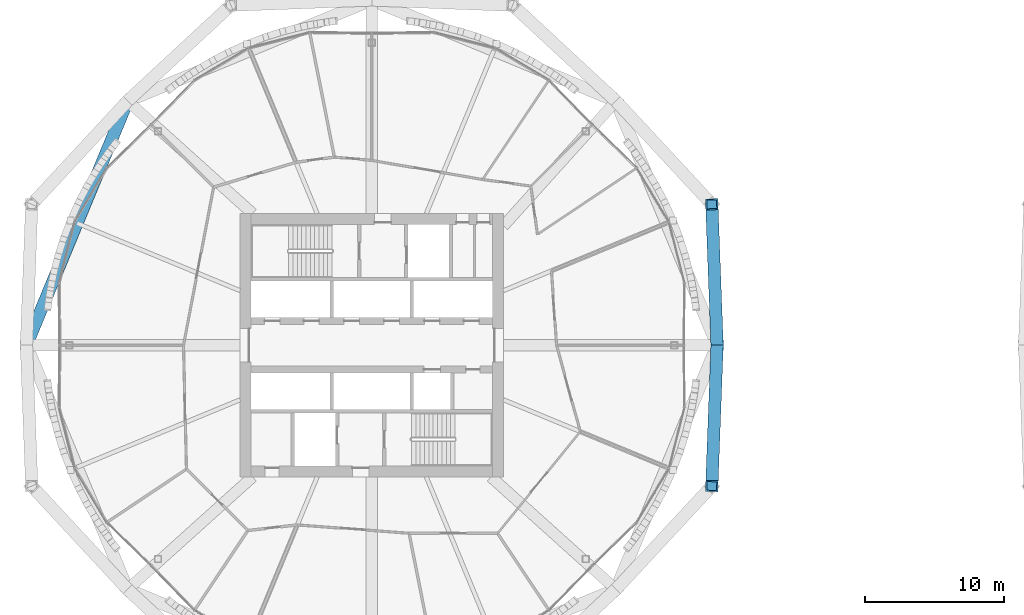
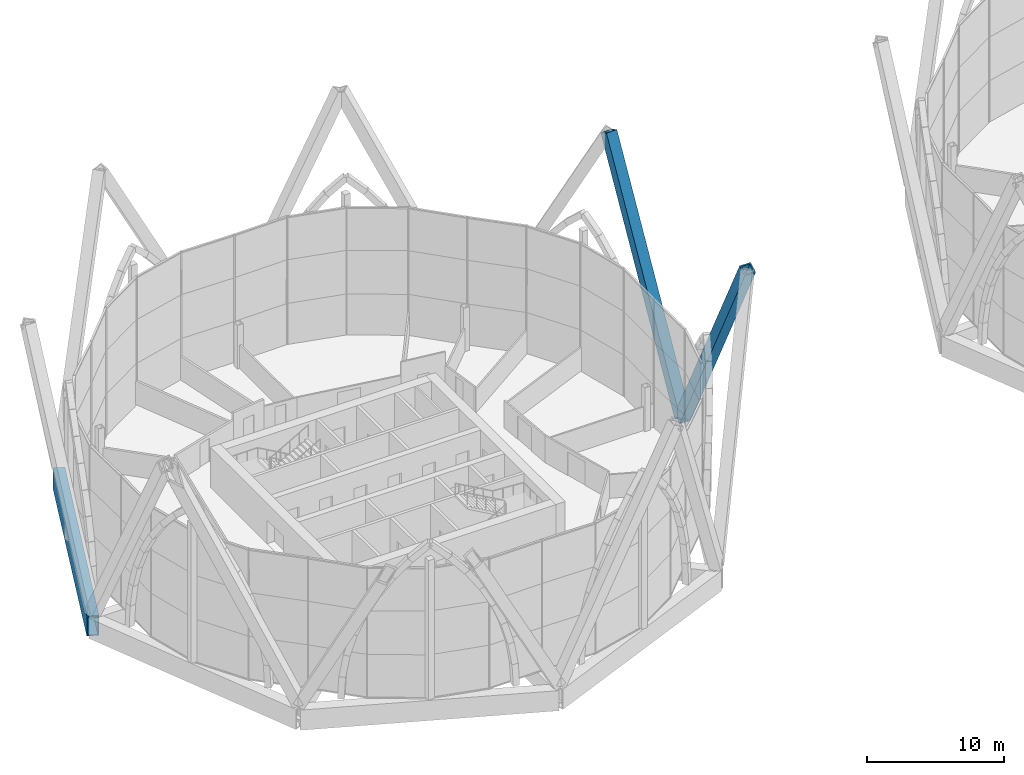
# One storey, part 9 of 37: 2 members, 1 beam.
"""IFC4 building model written with IfcOpenShell, lengths in metres."""

import ifcopenshell
import ifcopenshell.guid

model = None  # the IFC model being written
_history = None  # IfcOwnerHistory: only IFC2X3 demands one
_inside = {}  # id of a spatial element -> (the spatial element, [elements in it])
_under = {}  # id of a project, library or spatial element -> (it, [spatial elements below it])
_declared = {}  # id of a project -> (the project, [libraries it declares])
_typed = {}  # id of a type object -> (the type object, [elements of that type])
_made_of = {}  # id of a material, layer set ... -> (it, [elements and type objects made of it])


def new_model(schema):
    """Start an empty IFC model of exactly this schema.

    Asked for "IFC4X3", IfcOpenShell would pick the latest addendum, in which some entities
    have other attributes; the version numbers below select the first issue.
    IFC2X3 requires an IfcOwnerHistory on every rooted entity: one is made here for all.
    """
    global model, _history
    if schema == "IFC4X3":
        model = ifcopenshell.file(schema_version=(4, 3, 0, 0))
    else:
        model = ifcopenshell.file(schema=schema)
    _inside.clear()
    _under.clear()
    _declared.clear()
    _typed.clear()
    _made_of.clear()
    _history = None
    if model.schema == "IFC2X3":
        org = make("IfcOrganization", Name="unknown")
        user = make(
            "IfcPersonAndOrganization",
            ThePerson=make("IfcPerson", FamilyName="unknown"),
            TheOrganization=org,
        )
        app = make(
            "IfcApplication",
            ApplicationDeveloper=org,
            Version="unknown",
            ApplicationFullName="unknown",
            ApplicationIdentifier="unknown",
        )
        _history = make(
            "IfcOwnerHistory",
            OwningUser=user,
            OwningApplication=app,
            ChangeAction="ADDED",
            CreationDate=0,
        )
    return model


def make(cls, **values):
    """One entity of the class cls with the attributes given. An attribute that is None is left unset."""
    return model.create_entity(
        cls, **{name: value for name, value in values.items() if value is not None}
    )


def rooted(cls, **values):
    """An entity with a GlobalId (a new one), such as an element, a storey or a relation."""
    return make(cls, GlobalId=ifcopenshell.guid.new(), OwnerHistory=_history, **values)


def si_unit(unit_type, name, prefix=None):
    """IfcSIUnit, for example si_unit("LENGTHUNIT", "METRE", prefix="MILLI")."""
    return make("IfcSIUnit", UnitType=unit_type, Prefix=prefix, Name=name)


def assignment(units):
    """IfcUnitAssignment: the units of a project."""
    return None if units is None else make("IfcUnitAssignment", Units=units)


def point(xyz):
    """IfcCartesianPoint."""
    return None if xyz is None else make("IfcCartesianPoint", Coordinates=xyz)


def direction(xyz):
    """IfcDirection."""
    return None if xyz is None else make("IfcDirection", DirectionRatios=xyz)


def frame(location, z_axis=None, x_axis=None):
    """IfcAxis2Placement3D, a coordinate frame: its origin and axes. An axis left out is left unset."""
    return make(
        "IfcAxis2Placement3D",
        Location=point(location),
        Axis=direction(z_axis),
        RefDirection=direction(x_axis),
    )


def frame_2d(location, x_axis=None):
    """IfcAxis2Placement2D, a coordinate frame in the plane: its origin and x axis."""
    return make(
        "IfcAxis2Placement2D", Location=point(location), RefDirection=direction(x_axis)
    )


def origin():
    """The frame at (0, 0, 0) with its axes left unset."""
    return frame((0.0, 0.0, 0.0))


def origin_2d():
    """The frame at (0, 0) in the plane with its x axis left unset."""
    return frame_2d((0.0, 0.0))


def place(relative_to, where):
    """IfcLocalPlacement: puts the frame where relative to a parent placement (None: the world)."""
    return make(
        "IfcLocalPlacement", PlacementRelTo=relative_to, RelativePlacement=where
    )


def context(
    kind, dimensions, precision=None, world=None, true_north=None, identifier=None
):
    """IfcGeometricRepresentationContext, for example the 3D "Model" context."""
    return make(
        "IfcGeometricRepresentationContext",
        ContextIdentifier=identifier,
        ContextType=kind,
        CoordinateSpaceDimension=dimensions,
        Precision=precision,
        WorldCoordinateSystem=world,
        TrueNorth=true_north,
    )


def subcontext(parent, identifier, kind, view, scale=None):
    """IfcGeometricRepresentationSubContext, for example "Body" below "Model"."""
    return make(
        "IfcGeometricRepresentationSubContext",
        ContextIdentifier=identifier,
        ContextType=kind,
        ParentContext=parent,
        TargetScale=scale,
        TargetView=view,
    )


def project(units=None, contexts=None):
    """IfcProject with its units and contexts."""
    return rooted(
        "IfcProject",
        Name="project",
        RepresentationContexts=contexts,
        UnitsInContext=assignment(units),
    )


def spatial(cls, under=None, at=None, **own):
    """A site, building, storey or space (cls), placed at a placement, below another one or the project."""
    s = rooted(cls, ObjectPlacement=at, **own)
    if under is not None:
        _under.setdefault(under.id(), (under, []))[1].append(s)
    return s


def profile(cls, at=None, kind="AREA", **sizes):
    """A parametric profile (cls). Its sizes go by their IFC names, for example OverallWidth=200.0."""
    return make(cls, ProfileType=kind, Position=at, **sizes)


def hollow_rectangle(**sizes):
    """IfcRectangleHollowProfileDef."""
    return profile("IfcRectangleHollowProfileDef", **sizes)


def extrude(swept, where, along, depth):
    """IfcExtrudedAreaSolid: the profile swept, set in the frame where, extruded along a direction by depth."""
    return make(
        "IfcExtrudedAreaSolid",
        SweptArea=swept,
        Position=where,
        ExtrudedDirection=direction(along),
        Depth=depth,
    )


def shape(context_of_items, identifier, shape_type, items):
    """IfcShapeRepresentation: the items that make up one representation, for example the "Body"."""
    return make(
        "IfcShapeRepresentation",
        ContextOfItems=context_of_items,
        RepresentationIdentifier=identifier,
        RepresentationType=shape_type,
        Items=items,
    )


def material(Name=None, Category=None):
    """IfcMaterial."""
    return make("IfcMaterial", Name=Name, Category=Category)


def material_profile(
    of_material, cross_section, Name=None, Category=None, Priority=None
):
    """IfcMaterialProfile: a cross section and its material."""
    return make(
        "IfcMaterialProfile",
        Name=Name,
        Material=of_material,
        Profile=cross_section,
        Priority=Priority,
        Category=Category,
    )


def profile_set(profiles, Name=None, composite=None):
    """IfcMaterialProfileSet."""
    return make(
        "IfcMaterialProfileSet",
        Name=Name,
        MaterialProfiles=profiles,
        CompositeProfile=composite,
    )


def made_of(thing, what):
    """Note that an element or type object is made of a material, layer set ...; save() writes the relation."""
    if what is not None:
        _made_of.setdefault(what.id(), (what, []))[1].append(thing)
    return thing


def type_object(cls, material=None, **own):
    """A type object (cls), such as IfcWallType, which elements share."""
    return made_of(rooted(cls, **own), material)


def element(
    cls,
    number,
    at=None,
    inside=None,
    cuts=None,
    type_object=None,
    material=None,
    context=None,
    identifier="Body",
    shape_type=None,
    held_by="IfcProductDefinitionShape",
    body=None,
    shapes=None,
    **own,
):
    """One element of the class cls, such as IfcWall. Its Tag is "e" and its number.

    at: its placement. inside: the storey or other place that contains it. cuts: it is an
    opening in that element (IfcRelVoidsElement). A single representation is given by context,
    identifier, shape_type and body (its items); several are given by shapes. held_by: the class
    of the entity that holds the representations. save() writes the other relations.
    """
    e = rooted(cls, Tag="e%d" % number, ObjectPlacement=at, **own)
    if body is not None:
        shapes = [shape(context, identifier, shape_type, body)]
    if shapes is not None:
        e.Representation = make(held_by, Representations=shapes)
    if inside is not None:
        _inside.setdefault(inside.id(), (inside, []))[1].append(e)
    if cuts is not None:
        rooted(
            "IfcRelVoidsElement", RelatingBuildingElement=cuts, RelatedOpeningElement=e
        )
    if type_object is not None:
        _typed.setdefault(type_object.id(), (type_object, []))[1].append(e)
    return made_of(e, material)


def aggregate(whole, parts):
    """IfcRelAggregates: a whole, such as a stair, and the parts it consists of."""
    return rooted("IfcRelAggregates", RelatingObject=whole, RelatedObjects=parts)


def save(model, path):
    """Write the relations noted so far, then the file.

    IfcRelAggregates (storeys below a building ...), IfcRelContainedInSpatialStructure (elements
    in a storey), IfcRelDefinesByType, IfcRelAssociatesMaterial and IfcRelDeclares: one each for
    every whole, place, type object, material and project.
    """
    for whole, parts in _under.values():
        aggregate(whole, parts)
    for where, things in _inside.values():
        rooted(
            "IfcRelContainedInSpatialStructure",
            RelatedElements=things,
            RelatingStructure=where,
        )
    for kind, things in _typed.values():
        rooted("IfcRelDefinesByType", RelatedObjects=things, RelatingType=kind)
    for what, things in _made_of.values():
        rooted("IfcRelAssociatesMaterial", RelatedObjects=things, RelatingMaterial=what)
    for by, libraries in _declared.values():
        rooted("IfcRelDeclares", RelatingContext=by, RelatedDefinitions=libraries)
    model.write(path)


model = new_model("IFC4")

# Units and contexts
model_context = context("Model", 3, precision=1e-05, world=origin(), true_north=direction((0.0, 1.0)))
body_context = subcontext(model_context, "Body", "Model", "MODEL_VIEW")
ifc_project = project(units=[si_unit("LENGTHUNIT", "METRE"), si_unit("AREAUNIT", "SQUARE_METRE"), si_unit("VOLUMEUNIT", "CUBIC_METRE"), si_unit("PLANEANGLEUNIT", "RADIAN"), si_unit("MASSUNIT", "GRAM", prefix="KILO")], contexts=[model_context])

# Site, building, storey
site_placement = place(None, origin())
site = spatial("IfcSite", under=ifc_project, at=site_placement, CompositionType="ELEMENT")
building_placement = place(site_placement, origin())
building = spatial("IfcBuilding", under=site, at=building_placement, Name="Ogive Gate Towers", CompositionType="ELEMENT")
storey_placement = place(building_placement, frame((0.0, 0.0, 32.39990234375)))
storey = spatial("IfcBuildingStorey", under=building, at=storey_placement, Name="L06", CompositionType="ELEMENT", Elevation=32.39990234375)

# Members
ifc_material = material(Name="Steel SM460", Category="steel")
ifc_material_profile_1 = material_profile(ifc_material, hollow_rectangle(XDim=0.89990234375, YDim=0.89990234375, WallThickness=0.10009765625, at=origin_2d()), Name="BX 900x900x100")
ifc_profile_set_1 = profile_set([ifc_material_profile_1], Name="Steel SM460")
member_type = type_object("IfcMemberType", Name="Diagrid diagonal BX 900x900x100", PredefinedType="BRACE", material=ifc_profile_set_1)
for number, where, z_axis, x_axis, name in (
    (1, (-11.090087890625, 0.0, 0.0), (-0.017318521171, -0.462004857089, 0.886708283964), (0.999298155125, -0.037459273404, 0.0), "T1/L06/SDG001"),
    (2, (-11.090087890625, 0.0, 0.0), (-0.017318521171, 0.462004857089, 0.886708283964), (-0.999298155125, -0.037459273404, 0.0), "T1/L06/SDG002"),
):
    element("IfcMember", number, at=place(storey_placement, frame(where, z_axis=z_axis, x_axis=x_axis)), inside=storey, type_object=member_type, Name=name, PredefinedType="BRACE", context=body_context, shape_type="SweptSolid", body=[
        extrude(hollow_rectangle(XDim=0.89990234375, YDim=0.89990234375, WallThickness=0.10009765625, at=origin_2d()), origin(), (0.0, 0.0, 1.0), 21.991455078125),
    ])

# Beam
ifc_material_profile_2 = material_profile(ifc_material, hollow_rectangle(XDim=0.89990234375, YDim=1.800048828125, WallThickness=0.080078125, at=origin_2d()), Name="BX 1800x900x80")
ifc_profile_set_2 = profile_set([ifc_material_profile_2], Name="Steel SM460")
beam_type = type_object("IfcBeamType", Name="Edge girder BX 1800x900x80", PredefinedType="BEAM", material=ifc_profile_set_2)
beam_placement = place(storey_placement, frame((-53.614013671875, 17.614013671875, -1.199951171875), z_axis=(-0.382680526191, -0.923880736283, 0.0), x_axis=(0.923880736283, -0.382680526191, 0.0)))
element("IfcBeam", 3, at=beam_placement, inside=storey, type_object=beam_type, Name="T1/L06/SBM023", PredefinedType="BEAM", context=body_context, shape_type="SweptSolid", body=[
    extrude(hollow_rectangle(XDim=0.89990234375, YDim=1.800048828125, WallThickness=0.080078125, at=origin_2d()), origin(), (0.0, 0.0, 1.0), 19.065185546875),
])

save(model, "model.ifc")
